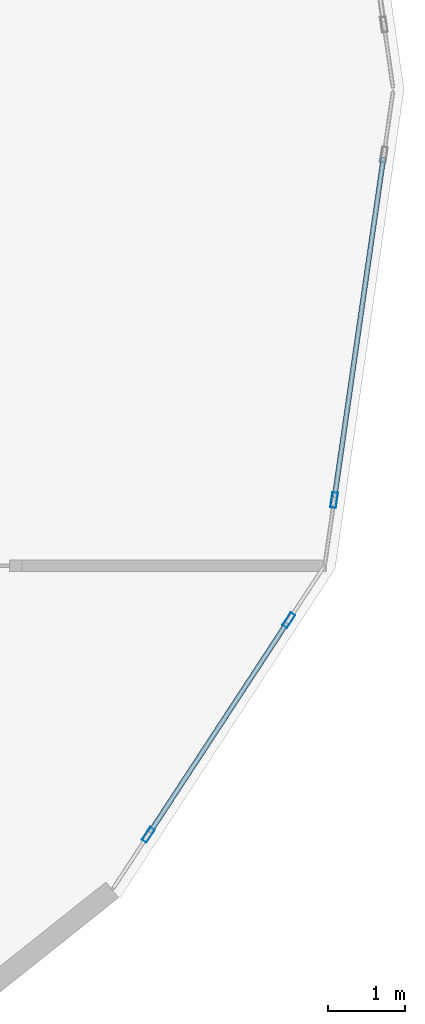
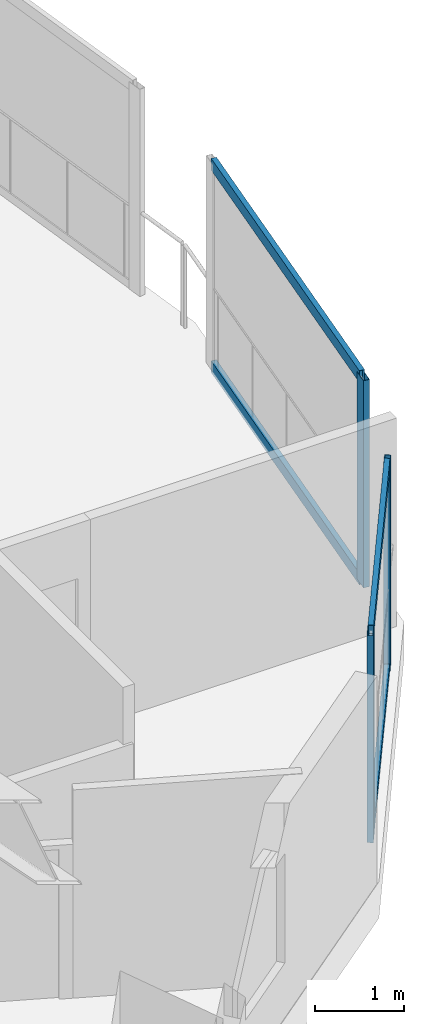
# One storey, part 3 of 15: 7 members, 2 elements without a shape of their own.
"""IFC4 building model written with IfcOpenShell, lengths in metres."""

from ifc_helpers import new_model, si_unit, direction, frame, origin, origin_2d, place, context, subcontext, project, spatial, hollow_rectangle, extrude, material, layer, layer_set, material_profile, profile_set, type_object, element, aggregate, save


model = new_model("IFC4")

# Units and contexts
model_context = context("Model", 3, precision=1e-05, world=origin(), true_north=direction((0.0, 1.0)))
body_context = subcontext(model_context, "Body", "Model", "MODEL_VIEW")
ifc_project = project(units=[si_unit("LENGTHUNIT", "METRE"), si_unit("AREAUNIT", "SQUARE_METRE"), si_unit("VOLUMEUNIT", "CUBIC_METRE"), si_unit("PLANEANGLEUNIT", "RADIAN"), si_unit("MASSUNIT", "GRAM", prefix="KILO")], contexts=[model_context])

# Site, building, storey
site_placement = place(None, origin())
site = spatial("IfcSite", under=ifc_project, at=site_placement, CompositionType="ELEMENT")
building_placement = place(site_placement, origin())
building = spatial("IfcBuilding", under=site, at=building_placement, Name="Solvane Sanctuary Tower", CompositionType="ELEMENT")
storey_placement = place(building_placement, frame((0.0, 0.0, 46.199951171875)))
storey = spatial("IfcBuildingStorey", under=building, at=storey_placement, Name="L13", CompositionType="ELEMENT", Elevation=46.199951171875)

# Curtain wall, members
ifc_material = material(Name="Anodised Aluminium 6063-T6", Category="aluminium")
ifc_layer = layer(ifc_material, 0.2099609375, Name="Anodised Aluminium 6063-T6")
ifc_layer_set = layer_set([ifc_layer], Name="Anodised Aluminium 6063-T6")
curtain_wall_type = type_object("IfcCurtainWallType", Name="Curtain Wall CW-PORTAL", PredefinedType="NOTDEFINED", material=ifc_layer_set)
curtain_wall_1_placement = place(storey_placement, origin())
curtain_wall_1 = element("IfcCurtainWall", 1, at=curtain_wall_1_placement, inside=storey, type_object=curtain_wall_type, Name="L13 CW-PORTAL Facade Run 22", PredefinedType="NOTDEFINED")
ifc_material_profile_1 = material_profile(ifc_material, hollow_rectangle(XDim=0.074951171875, YDim=0.199951171875, WallThickness=0.00390625, at=origin_2d()), Name="ALU200X75X4")
ifc_profile_set_1 = profile_set([ifc_material_profile_1], Name="Anodised Aluminium 6063-T6")
member_type_1 = type_object("IfcMemberType", Name="Member M-CW-MUL-1 ALU200X75X4", PredefinedType="MULLION", material=ifc_profile_set_1)
member_1_placement = place(storey_placement, frame((54.663330078125, 13.2763671875, 0.0), z_axis=(0.0, 0.0, 1.0), x_axis=(-0.836673521159, 0.547701943571, 0.0)))
member_1 = element("IfcMember", 2, at=member_1_placement, type_object=member_type_1, Name="CW-PORTAL mullion 1", PredefinedType="MULLION", context=body_context, shape_type="SweptSolid", body=[
    extrude(hollow_rectangle(XDim=0.074951171875, YDim=0.199951171875, WallThickness=0.00390625, at=origin_2d()), origin(), (0.0, 0.0, 1.0), 2.840087890625),
])
member_2_placement = place(storey_placement, frame((56.496826171875, 16.0771484375, 0.0), z_axis=(0.0, 0.0, 1.0), x_axis=(-0.836673521159, 0.547701943571, 0.0)))
member_2 = element("IfcMember", 3, at=member_2_placement, type_object=member_type_1, Name="CW-PORTAL mullion 2", PredefinedType="MULLION", context=body_context, shape_type="SweptSolid", body=[
    extrude(hollow_rectangle(XDim=0.074951171875, YDim=0.199951171875, WallThickness=0.00390625, at=origin_2d()), origin(), (0.0, 0.0, 1.0), 2.840087890625),
])

# Curtain wall, member
curtain_wall_2_placement = place(storey_placement, origin())
curtain_wall_2 = element("IfcCurtainWall", 4, at=curtain_wall_2_placement, inside=storey, type_object=curtain_wall_type, Name="L13 CW-PORTAL Facade Run 23", PredefinedType="NOTDEFINED")
member_3_placement = place(storey_placement, frame((57.088623046875, 17.643310546875, 0.0), z_axis=(0.0, 0.0, 1.0), x_axis=(-0.989794236162, 0.142503929979, 0.0)))
member_3 = element("IfcMember", 5, at=member_3_placement, type_object=member_type_1, Name="CW-PORTAL mullion 1", PredefinedType="MULLION", context=body_context, shape_type="SweptSolid", body=[
    extrude(hollow_rectangle(XDim=0.074951171875, YDim=0.199951171875, WallThickness=0.00390625, at=origin_2d()), origin(), (0.0, 0.0, 1.0), 2.840087890625),
])

# Member
ifc_material_profile_2 = material_profile(ifc_material, hollow_rectangle(XDim=0.06494140625, YDim=0.159912109375, WallThickness=0.00341796875, at=origin_2d()), Name="ALU160X65X3.5")
ifc_profile_set_2 = profile_set([ifc_material_profile_2], Name="Anodised Aluminium 6063-T6")
member_type_2 = type_object("IfcMemberType", Name="Member M-CW-TRN-1 ALU160X65X3.5", PredefinedType="USERDEFINED", material=ifc_profile_set_2)
member_4_placement = place(storey_placement, frame((54.68408203125, 13.307861328125, 0.032470703125), z_axis=(0.547673418751, 0.836692193338, 0.0), x_axis=(-0.836692193338, 0.547673418751, 0.0)))
member_4 = element("IfcMember", 6, at=member_4_placement, type_object=member_type_2, Name="CW-PORTAL transom 1.1", ObjectType="TRANSOM", PredefinedType="USERDEFINED", context=body_context, shape_type="SweptSolid", body=[
    extrude(hollow_rectangle(XDim=0.06494140625, YDim=0.159912109375, WallThickness=0.00341796875, at=origin_2d()), origin(), (0.0, 0.0, 1.0), 3.2724609375),
])

member_5_placement = place(storey_placement, frame((54.68408203125, 13.307861328125, 2.8076171875), z_axis=(0.547673418751, 0.836692193338, 0.0), x_axis=(-0.836692193338, 0.547673418751, 0.0)))
member_5 = element("IfcMember", 7, at=member_5_placement, type_object=member_type_2, Name="CW-PORTAL transom 1.2", ObjectType="TRANSOM", PredefinedType="USERDEFINED", context=body_context, shape_type="SweptSolid", body=[
    extrude(hollow_rectangle(XDim=0.06494140625, YDim=0.159912109375, WallThickness=0.00341796875, at=origin_2d()), origin(), (0.0, 0.0, 1.0), 3.2724609375),
])

aggregate(curtain_wall_1, [member_1, member_2, member_4, member_5])

member_6_placement = place(storey_placement, frame((57.093994140625, 17.680419921875, 0.032470703125), z_axis=(0.14252000847, 0.989791921156, 0.0), x_axis=(-0.989791921156, 0.14252000847, 0.0)))
member_6 = element("IfcMember", 8, at=member_6_placement, type_object=member_type_2, Name="CW-PORTAL transom 1.1", ObjectType="TRANSOM", PredefinedType="USERDEFINED", context=body_context, shape_type="SweptSolid", body=[
    extrude(hollow_rectangle(XDim=0.06494140625, YDim=0.159912109375, WallThickness=0.00341796875, at=origin_2d()), origin(), (0.0, 0.0, 1.0), 4.4794921875),
])

member_7_placement = place(storey_placement, frame((57.093994140625, 17.680419921875, 2.8076171875), z_axis=(0.14252000847, 0.989791921156, 0.0), x_axis=(-0.989791921156, 0.14252000847, 0.0)))
member_7 = element("IfcMember", 9, at=member_7_placement, type_object=member_type_2, Name="CW-PORTAL transom 1.2", ObjectType="TRANSOM", PredefinedType="USERDEFINED", context=body_context, shape_type="SweptSolid", body=[
    extrude(hollow_rectangle(XDim=0.06494140625, YDim=0.159912109375, WallThickness=0.00341796875, at=origin_2d()), origin(), (0.0, 0.0, 1.0), 4.4794921875),
])

aggregate(curtain_wall_2, [member_3, member_6, member_7])

save(model, "model.ifc")
